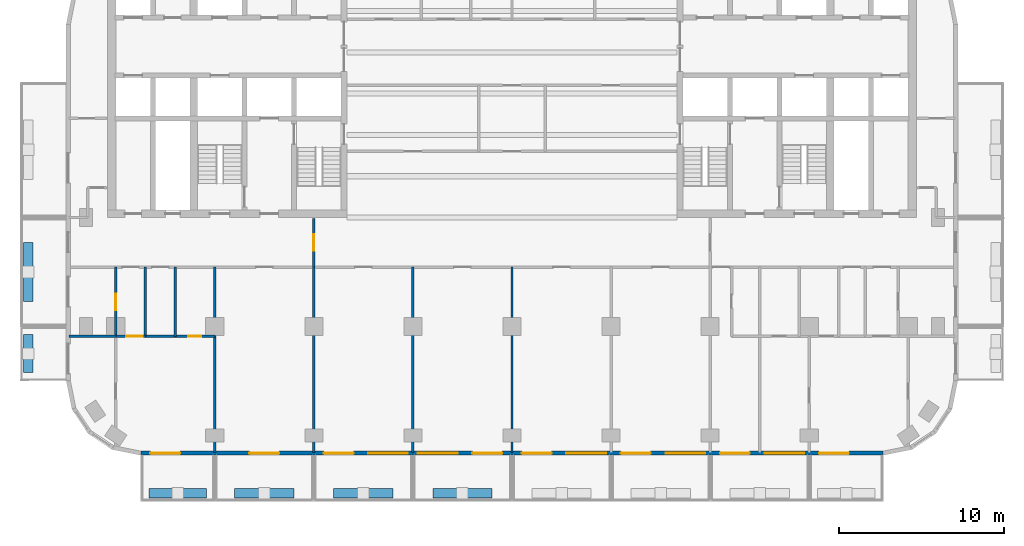
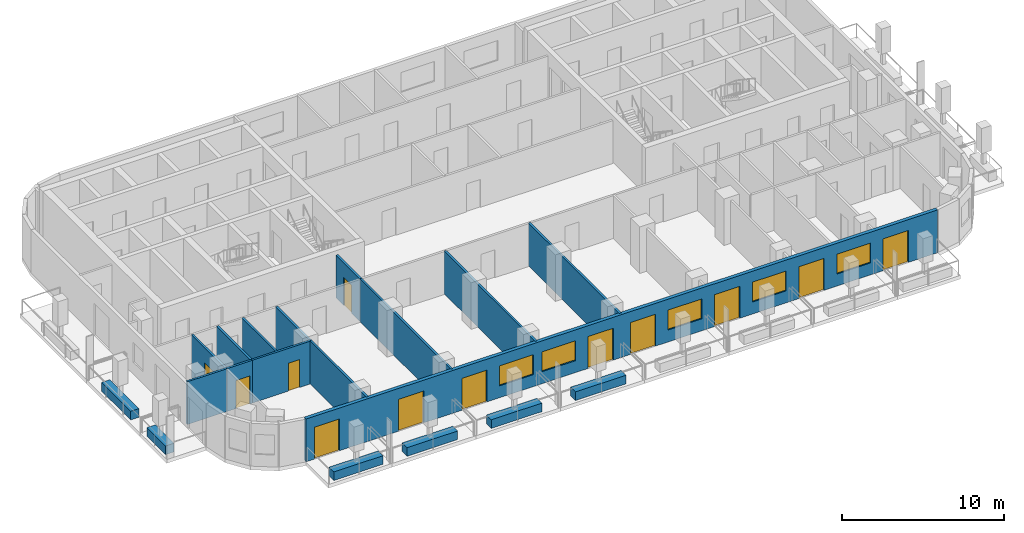
# One storey, part 2 of 11: 18 walls, 12 doors, 5 windows, 17 openings.
"""IFC4 building model written with IfcOpenShell, lengths in metres."""

from ifc_helpers import new_model, si_unit, direction, frame, frame_2d, origin, place, context, subcontext, project, spatial, rectangle, extrude, material, layer, layer_set, type_object, element, fill, save


model = new_model("IFC4")

# Units and contexts
model_context = context("Model", 3, precision=1e-05, world=origin(), true_north=direction((0.0, 1.0)))
body_context = subcontext(model_context, "Body", "Model", "MODEL_VIEW")
ifc_project = project(units=[si_unit("LENGTHUNIT", "METRE"), si_unit("AREAUNIT", "SQUARE_METRE"), si_unit("VOLUMEUNIT", "CUBIC_METRE"), si_unit("PLANEANGLEUNIT", "RADIAN"), si_unit("MASSUNIT", "GRAM", prefix="KILO")], contexts=[model_context])

# Site, building, storey
site_placement = place(None, origin())
site = spatial("IfcSite", under=ifc_project, at=site_placement, CompositionType="ELEMENT")
building_placement = place(site_placement, origin())
building = spatial("IfcBuilding", under=site, at=building_placement, Name="Torana Hotel and Residences", CompositionType="ELEMENT")
storey_placement = place(building_placement, frame((0.0, 0.0, 194.10009765625)))
storey = spatial("IfcBuildingStorey", under=building, at=storey_placement, Name="L50", CompositionType="ELEMENT", Elevation=194.10009765625)

# Wall, openings, doors, windows
ifc_material_1 = material(Name="Black aluminium composite panel", Category="aluminium")
ifc_layer_1 = layer(ifc_material_1, 0.00390625, Name="Cladding", Category="cladding")
ifc_material_2 = material(Name="Ventilated air cavity")
ifc_layer_2 = layer(ifc_material_2, 0.0400390625, Name="Ventilated cavity", Category="cavity")
ifc_material_3 = material(Name="Mineral wool insulation")
ifc_layer_3 = layer(ifc_material_3, 0.090087890625, Name="Insulation", Category="insulation")
ifc_material_4 = material(Name="Steel S280GD", Category="steel")
ifc_layer_4 = layer(ifc_material_4, 0.092041015625, Name="Steel stud frame", Category="structure")
ifc_material_5 = material(Name="Fire rated plasterboard")
ifc_layer_5 = layer(ifc_material_5, 0.011962890625, Name="Inner board", Category="finish")
ifc_layer_6 = layer(ifc_material_5, 0.011962890625, Name="Second board", Category="finish")
ifc_layer_set_1 = layer_set([ifc_layer_1, ifc_layer_2, ifc_layer_3, ifc_layer_4, ifc_layer_5, ifc_layer_6], Name="EW1 EXTERNAL WALL BLACK METAL CLAD 250")
wall_type_1 = type_object("IfcWallType", Name="EW1 EXTERNAL WALL BLACK METAL CLAD 250", PredefinedType="SOLIDWALL", material=ifc_layer_set_1)
wall_1_placement = place(storey_placement, frame((-22.475341796875, -29.27490234375, 0.0), z_axis=(0.0, 0.0, 1.0), x_axis=(1.0, 0.0, 0.0)))
wall_1 = element("IfcWall", 1, at=wall_1_placement, inside=storey, type_object=wall_type_1, Name="External wall L50 e0.14", PredefinedType="SOLIDWALL", context=body_context, shape_type="SweptSolid", body=[
    extrude(rectangle(XDim=44.95068359375, YDim=0.25, at=frame_2d((22.475341796875, 0.0))), origin(), (0.0, 0.0, 1.0), 3.219970703125),
])
opening_1_placement = place(wall_1_placement, frame((0.575439453125, 0.0, 0.0)))
opening_1 = element("IfcOpeningElement", 2, at=opening_1_placement, cuts=wall_1, Name="Opening L50-E01", PredefinedType="OPENING", context=body_context, shape_type="SweptSolid", body=[
    extrude(rectangle(XDim=1.800048828125, YDim=2.39990234375, at=frame_2d((0.89990234375, 1.199951171875))), frame((0.0, 0.135009765625, 0.0), z_axis=(0.0, -1.0, 0.0), x_axis=(1.0, 0.0, 0.0)), (0.0, 0.0, 1.0), 0.27001953125),
])
opening_2_placement = place(wall_1_placement, frame((6.575439453125, 0.0, 0.0)))
opening_2 = element("IfcOpeningElement", 3, at=opening_2_placement, cuts=wall_1, Name="Opening L50-E02", PredefinedType="OPENING", context=body_context, shape_type="SweptSolid", body=[
    extrude(rectangle(XDim=1.800048828125, YDim=2.39990234375, at=frame_2d((0.89990234375, 1.199951171875))), frame((0.0, 0.135009765625, 0.0), z_axis=(0.0, -1.0, 0.0), x_axis=(1.0, 0.0, 0.0)), (0.0, 0.0, 1.0), 0.27001953125),
])
opening_3_placement = place(wall_1_placement, frame((11.075439453125, 0.0, 0.0)))
opening_3 = element("IfcOpeningElement", 4, at=opening_3_placement, cuts=wall_1, Name="Opening L50-E03", PredefinedType="OPENING", context=body_context, shape_type="SweptSolid", body=[
    extrude(rectangle(XDim=1.800048828125, YDim=2.39990234375, at=frame_2d((0.89990234375, 1.199951171875))), frame((0.0, 0.135009765625, 0.0), z_axis=(0.0, -1.0, 0.0), x_axis=(1.0, 0.0, 0.0)), (0.0, 0.0, 1.0), 0.27001953125),
])
opening_4_placement = place(wall_1_placement, frame((13.775390625, 0.0, 0.89990234375)))
opening_4 = element("IfcOpeningElement", 5, at=opening_4_placement, cuts=wall_1, Name="Opening W3", PredefinedType="OPENING", context=body_context, shape_type="SweptSolid", body=[
    extrude(rectangle(XDim=2.39990234375, YDim=1.5, at=frame_2d((1.199951171875, 0.75))), frame((0.0, 0.135009765625, 0.0), z_axis=(0.0, -1.0, 0.0), x_axis=(1.0, 0.0, 0.0)), (0.0, 0.0, 1.0), 0.27001953125),
])
opening_5_placement = place(wall_1_placement, frame((16.775390625, 0.0, 0.89990234375)))
opening_5 = element("IfcOpeningElement", 6, at=opening_5_placement, cuts=wall_1, Name="Opening W3", PredefinedType="OPENING", context=body_context, shape_type="SweptSolid", body=[
    extrude(rectangle(XDim=2.39990234375, YDim=1.5, at=frame_2d((1.199951171875, 0.75))), frame((0.0, 0.135009765625, 0.0), z_axis=(0.0, -1.0, 0.0), x_axis=(1.0, 0.0, 0.0)), (0.0, 0.0, 1.0), 0.27001953125),
])
opening_6_placement = place(wall_1_placement, frame((20.075439453125, 0.0, 0.0)))
opening_6 = element("IfcOpeningElement", 7, at=opening_6_placement, cuts=wall_1, Name="Opening L50-E04", PredefinedType="OPENING", context=body_context, shape_type="SweptSolid", body=[
    extrude(rectangle(XDim=1.800048828125, YDim=2.39990234375, at=frame_2d((0.89990234375, 1.199951171875))), frame((0.0, 0.135009765625, 0.0), z_axis=(0.0, -1.0, 0.0), x_axis=(1.0, 0.0, 0.0)), (0.0, 0.0, 1.0), 0.27001953125),
])
opening_7_placement = place(wall_1_placement, frame((23.075439453125, 0.0, 0.0)))
opening_7 = element("IfcOpeningElement", 8, at=opening_7_placement, cuts=wall_1, Name="Opening L50-E05", PredefinedType="OPENING", context=body_context, shape_type="SweptSolid", body=[
    extrude(rectangle(XDim=1.800048828125, YDim=2.39990234375, at=frame_2d((0.89990234375, 1.199951171875))), frame((0.0, 0.135009765625, 0.0), z_axis=(0.0, -1.0, 0.0), x_axis=(1.0, 0.0, 0.0)), (0.0, 0.0, 1.0), 0.27001953125),
])
opening_8_placement = place(wall_1_placement, frame((25.775390625, 0.0, 0.89990234375)))
opening_8 = element("IfcOpeningElement", 9, at=opening_8_placement, cuts=wall_1, Name="Opening W3", PredefinedType="OPENING", context=body_context, shape_type="SweptSolid", body=[
    extrude(rectangle(XDim=2.39990234375, YDim=1.5, at=frame_2d((1.199951171875, 0.75))), frame((0.0, 0.135009765625, 0.0), z_axis=(0.0, -1.0, 0.0), x_axis=(1.0, 0.0, 0.0)), (0.0, 0.0, 1.0), 0.27001953125),
])
opening_9_placement = place(wall_1_placement, frame((29.075439453125, 0.0, 0.0)))
opening_9 = element("IfcOpeningElement", 10, at=opening_9_placement, cuts=wall_1, Name="Opening L50-E06", PredefinedType="OPENING", context=body_context, shape_type="SweptSolid", body=[
    extrude(rectangle(XDim=1.800048828125, YDim=2.39990234375, at=frame_2d((0.89990234375, 1.199951171875))), frame((0.0, 0.135009765625, 0.0), z_axis=(0.0, -1.0, 0.0), x_axis=(1.0, 0.0, 0.0)), (0.0, 0.0, 1.0), 0.27001953125),
])
opening_10_placement = place(wall_1_placement, frame((31.775390625, 0.0, 0.89990234375)))
opening_10 = element("IfcOpeningElement", 11, at=opening_10_placement, cuts=wall_1, Name="Opening W3", PredefinedType="OPENING", context=body_context, shape_type="SweptSolid", body=[
    extrude(rectangle(XDim=2.39990234375, YDim=1.5, at=frame_2d((1.199951171875, 0.75))), frame((0.0, 0.135009765625, 0.0), z_axis=(0.0, -1.0, 0.0), x_axis=(1.0, 0.0, 0.0)), (0.0, 0.0, 1.0), 0.27001953125),
])
opening_11_placement = place(wall_1_placement, frame((35.075439453125, 0.0, 0.0)))
opening_11 = element("IfcOpeningElement", 12, at=opening_11_placement, cuts=wall_1, Name="Opening L50-E07", PredefinedType="OPENING", context=body_context, shape_type="SweptSolid", body=[
    extrude(rectangle(XDim=1.800048828125, YDim=2.39990234375, at=frame_2d((0.89990234375, 1.199951171875))), frame((0.0, 0.135009765625, 0.0), z_axis=(0.0, -1.0, 0.0), x_axis=(1.0, 0.0, 0.0)), (0.0, 0.0, 1.0), 0.27001953125),
])
opening_12_placement = place(wall_1_placement, frame((37.775390625, 0.0, 0.89990234375)))
opening_12 = element("IfcOpeningElement", 13, at=opening_12_placement, cuts=wall_1, Name="Opening W3", PredefinedType="OPENING", context=body_context, shape_type="SweptSolid", body=[
    extrude(rectangle(XDim=2.39990234375, YDim=1.5, at=frame_2d((1.199951171875, 0.75))), frame((0.0, 0.135009765625, 0.0), z_axis=(0.0, -1.0, 0.0), x_axis=(1.0, 0.0, 0.0)), (0.0, 0.0, 1.0), 0.27001953125),
])
opening_13_placement = place(wall_1_placement, frame((41.075439453125, 0.0, 0.0)))
opening_13 = element("IfcOpeningElement", 14, at=opening_13_placement, cuts=wall_1, Name="Opening L50-E08", PredefinedType="OPENING", context=body_context, shape_type="SweptSolid", body=[
    extrude(rectangle(XDim=1.800048828125, YDim=2.39990234375, at=frame_2d((0.89990234375, 1.199951171875))), frame((0.0, 0.135009765625, 0.0), z_axis=(0.0, -1.0, 0.0), x_axis=(1.0, 0.0, 0.0)), (0.0, 0.0, 1.0), 0.27001953125),
])
ifc_material_6 = material(Name="Dark glass in black aluminium frame", Category="aluminium")
door_type_1 = type_object("IfcDoorType", Name="DB1 BALCONY DOOR 1800x2400", OperationType="DOUBLE_DOOR_SINGLE_SWING", PredefinedType="DOOR", material=ifc_material_6)
door_1_placement = place(opening_1_placement, origin())
door_1 = element("IfcDoor", 15, at=door_1_placement, inside=storey, type_object=door_type_1, Name="Balcony door L50", OperationType="DOUBLE_DOOR_SINGLE_SWING", OverallHeight=2.39990234375, OverallWidth=1.800048828125, PredefinedType="DOOR", context=body_context, shape_type="SweptSolid", body=[
    extrude(rectangle(XDim=1.800048828125, YDim=2.39990234375, at=frame_2d((0.89990234375, 1.199951171875))), frame((0.0, 0.02490234375, 0.0), z_axis=(0.0, -1.0, 0.0), x_axis=(1.0, 0.0, 0.0)), (0.0, 0.0, 1.0), 0.050048828125),
])
fill(opening_1, door_1)
door_2_placement = place(opening_2_placement, origin())
door_2 = element("IfcDoor", 16, at=door_2_placement, inside=storey, type_object=door_type_1, Name="Balcony door L50", OperationType="DOUBLE_DOOR_SINGLE_SWING", OverallHeight=2.39990234375, OverallWidth=1.800048828125, PredefinedType="DOOR", context=body_context, shape_type="SweptSolid", body=[
    extrude(rectangle(XDim=1.800048828125, YDim=2.39990234375, at=frame_2d((0.89990234375, 1.199951171875))), frame((0.0, 0.02490234375, 0.0), z_axis=(0.0, -1.0, 0.0), x_axis=(1.0, 0.0, 0.0)), (0.0, 0.0, 1.0), 0.050048828125),
])
fill(opening_2, door_2)
door_3_placement = place(opening_3_placement, origin())
door_3 = element("IfcDoor", 17, at=door_3_placement, inside=storey, type_object=door_type_1, Name="Balcony door L50", OperationType="DOUBLE_DOOR_SINGLE_SWING", OverallHeight=2.39990234375, OverallWidth=1.800048828125, PredefinedType="DOOR", context=body_context, shape_type="SweptSolid", body=[
    extrude(rectangle(XDim=1.800048828125, YDim=2.39990234375, at=frame_2d((0.89990234375, 1.199951171875))), frame((0.0, 0.02490234375, 0.0), z_axis=(0.0, -1.0, 0.0), x_axis=(1.0, 0.0, 0.0)), (0.0, 0.0, 1.0), 0.050048828125),
])
fill(opening_3, door_3)
door_4_placement = place(opening_6_placement, origin())
door_4 = element("IfcDoor", 18, at=door_4_placement, inside=storey, type_object=door_type_1, Name="Balcony door L50", OperationType="DOUBLE_DOOR_SINGLE_SWING", OverallHeight=2.39990234375, OverallWidth=1.800048828125, PredefinedType="DOOR", context=body_context, shape_type="SweptSolid", body=[
    extrude(rectangle(XDim=1.800048828125, YDim=2.39990234375, at=frame_2d((0.89990234375, 1.199951171875))), frame((0.0, 0.02490234375, 0.0), z_axis=(0.0, -1.0, 0.0), x_axis=(1.0, 0.0, 0.0)), (0.0, 0.0, 1.0), 0.050048828125),
])
fill(opening_6, door_4)
door_5_placement = place(opening_7_placement, origin())
door_5 = element("IfcDoor", 19, at=door_5_placement, inside=storey, type_object=door_type_1, Name="Balcony door L50", OperationType="DOUBLE_DOOR_SINGLE_SWING", OverallHeight=2.39990234375, OverallWidth=1.800048828125, PredefinedType="DOOR", context=body_context, shape_type="SweptSolid", body=[
    extrude(rectangle(XDim=1.800048828125, YDim=2.39990234375, at=frame_2d((0.89990234375, 1.199951171875))), frame((0.0, 0.02490234375, 0.0), z_axis=(0.0, -1.0, 0.0), x_axis=(1.0, 0.0, 0.0)), (0.0, 0.0, 1.0), 0.050048828125),
])
fill(opening_7, door_5)
door_6_placement = place(opening_9_placement, origin())
door_6 = element("IfcDoor", 20, at=door_6_placement, inside=storey, type_object=door_type_1, Name="Balcony door L50", OperationType="DOUBLE_DOOR_SINGLE_SWING", OverallHeight=2.39990234375, OverallWidth=1.800048828125, PredefinedType="DOOR", context=body_context, shape_type="SweptSolid", body=[
    extrude(rectangle(XDim=1.800048828125, YDim=2.39990234375, at=frame_2d((0.89990234375, 1.199951171875))), frame((0.0, 0.02490234375, 0.0), z_axis=(0.0, -1.0, 0.0), x_axis=(1.0, 0.0, 0.0)), (0.0, 0.0, 1.0), 0.050048828125),
])
fill(opening_9, door_6)
door_7_placement = place(opening_11_placement, origin())
door_7 = element("IfcDoor", 21, at=door_7_placement, inside=storey, type_object=door_type_1, Name="Balcony door L50", OperationType="DOUBLE_DOOR_SINGLE_SWING", OverallHeight=2.39990234375, OverallWidth=1.800048828125, PredefinedType="DOOR", context=body_context, shape_type="SweptSolid", body=[
    extrude(rectangle(XDim=1.800048828125, YDim=2.39990234375, at=frame_2d((0.89990234375, 1.199951171875))), frame((0.0, 0.02490234375, 0.0), z_axis=(0.0, -1.0, 0.0), x_axis=(1.0, 0.0, 0.0)), (0.0, 0.0, 1.0), 0.050048828125),
])
fill(opening_11, door_7)
door_8_placement = place(opening_13_placement, origin())
door_8 = element("IfcDoor", 22, at=door_8_placement, inside=storey, type_object=door_type_1, Name="Balcony door L50", OperationType="DOUBLE_DOOR_SINGLE_SWING", OverallHeight=2.39990234375, OverallWidth=1.800048828125, PredefinedType="DOOR", context=body_context, shape_type="SweptSolid", body=[
    extrude(rectangle(XDim=1.800048828125, YDim=2.39990234375, at=frame_2d((0.89990234375, 1.199951171875))), frame((0.0, 0.02490234375, 0.0), z_axis=(0.0, -1.0, 0.0), x_axis=(1.0, 0.0, 0.0)), (0.0, 0.0, 1.0), 0.050048828125),
])
fill(opening_13, door_8)
ifc_material_7 = material(Name="Dark glass in black aluminium frame", Category="aluminium")
window_type = type_object("IfcWindowType", Name="W3 RESIDENCE WINDOW 2400x1500", PartitioningType="SINGLE_PANEL", PredefinedType="WINDOW", material=ifc_material_7)
window_1_placement = place(opening_4_placement, origin())
window_1 = element("IfcWindow", 23, at=window_1_placement, inside=storey, type_object=window_type, Name="Window L50", OverallHeight=1.5, OverallWidth=2.39990234375, PartitioningType="SINGLE_PANEL", PredefinedType="WINDOW", context=body_context, shape_type="SweptSolid", body=[
    extrude(rectangle(XDim=2.39990234375, YDim=1.5, at=frame_2d((1.199951171875, 0.75))), frame((0.0, 0.030029296875, 0.0), z_axis=(0.0, -1.0, 0.0), x_axis=(1.0, 0.0, 0.0)), (0.0, 0.0, 1.0), 0.06005859375),
])
fill(opening_4, window_1)
window_2_placement = place(opening_5_placement, origin())
window_2 = element("IfcWindow", 24, at=window_2_placement, inside=storey, type_object=window_type, Name="Window L50", OverallHeight=1.5, OverallWidth=2.39990234375, PartitioningType="SINGLE_PANEL", PredefinedType="WINDOW", context=body_context, shape_type="SweptSolid", body=[
    extrude(rectangle(XDim=2.39990234375, YDim=1.5, at=frame_2d((1.199951171875, 0.75))), frame((0.0, 0.030029296875, 0.0), z_axis=(0.0, -1.0, 0.0), x_axis=(1.0, 0.0, 0.0)), (0.0, 0.0, 1.0), 0.06005859375),
])
fill(opening_5, window_2)
window_3_placement = place(opening_8_placement, origin())
window_3 = element("IfcWindow", 25, at=window_3_placement, inside=storey, type_object=window_type, Name="Window L50", OverallHeight=1.5, OverallWidth=2.39990234375, PartitioningType="SINGLE_PANEL", PredefinedType="WINDOW", context=body_context, shape_type="SweptSolid", body=[
    extrude(rectangle(XDim=2.39990234375, YDim=1.5, at=frame_2d((1.199951171875, 0.75))), frame((0.0, 0.030029296875, 0.0), z_axis=(0.0, -1.0, 0.0), x_axis=(1.0, 0.0, 0.0)), (0.0, 0.0, 1.0), 0.06005859375),
])
fill(opening_8, window_3)
window_4_placement = place(opening_10_placement, origin())
window_4 = element("IfcWindow", 26, at=window_4_placement, inside=storey, type_object=window_type, Name="Window L50", OverallHeight=1.5, OverallWidth=2.39990234375, PartitioningType="SINGLE_PANEL", PredefinedType="WINDOW", context=body_context, shape_type="SweptSolid", body=[
    extrude(rectangle(XDim=2.39990234375, YDim=1.5, at=frame_2d((1.199951171875, 0.75))), frame((0.0, 0.030029296875, 0.0), z_axis=(0.0, -1.0, 0.0), x_axis=(1.0, 0.0, 0.0)), (0.0, 0.0, 1.0), 0.06005859375),
])
fill(opening_10, window_4)
window_5_placement = place(opening_12_placement, origin())
window_5 = element("IfcWindow", 27, at=window_5_placement, inside=storey, type_object=window_type, Name="Window L50", OverallHeight=1.5, OverallWidth=2.39990234375, PartitioningType="SINGLE_PANEL", PredefinedType="WINDOW", context=body_context, shape_type="SweptSolid", body=[
    extrude(rectangle(XDim=2.39990234375, YDim=1.5, at=frame_2d((1.199951171875, 0.75))), frame((0.0, 0.030029296875, 0.0), z_axis=(0.0, -1.0, 0.0), x_axis=(1.0, 0.0, 0.0)), (0.0, 0.0, 1.0), 0.06005859375),
])
fill(opening_12, window_5)

# Wall, opening, door
ifc_material_8 = material(Name="Gypsum plaster")
ifc_layer_7 = layer(ifc_material_8, 0.014892578125, Name="Plaster", Category="finish")
ifc_material_9 = material(Name="Concrete blockwork", Category="masonry")
ifc_layer_8 = layer(ifc_material_9, 0.1201171875, Name="Blockwork", Category="structure")
ifc_layer_9 = layer(ifc_material_8, 0.014892578125, Name="Plaster", Category="finish")
ifc_layer_set_2 = layer_set([ifc_layer_7, ifc_layer_8, ifc_layer_9], Name="FIRE PARTITION 150 BLOCKWORK")
wall_type_2 = type_object("IfcWallType", Name="FIRE PARTITION 150 BLOCKWORK", PredefinedType="PARTITIONING", material=ifc_layer_set_2)
wall_2_placement = place(storey_placement, frame((-12.0, -18.0, 0.0), z_axis=(0.0, 0.0, 1.0), x_axis=(0.0, 1.0, 0.0)))
wall_2 = element("IfcWall", 28, at=wall_2_placement, inside=storey, type_object=wall_type_2, Name="Partition L50", PredefinedType="PARTITIONING", context=body_context, shape_type="SweptSolid", body=[
    extrude(rectangle(XDim=2.949951171875, YDim=0.14990234375, at=frame_2d((1.47509765625, 0.0))), origin(), (0.0, 0.0, 1.0), 3.219970703125),
])
opening_14_placement = place(wall_2_placement, frame((1.0, 0.0, 0.0)))
opening_14 = element("IfcOpeningElement", 29, at=opening_14_placement, cuts=wall_2, Name="Opening L50-27", PredefinedType="OPENING", context=body_context, shape_type="SweptSolid", body=[
    extrude(rectangle(XDim=1.0, YDim=2.10009765625, at=frame_2d((0.5, 1.050048828125))), frame((0.0, 0.0849609375, 0.0), z_axis=(0.0, -1.0, 0.0), x_axis=(1.0, 0.0, 0.0)), (0.0, 0.0, 1.0), 0.169921875),
])
ifc_material_10 = material(Name="Steel S235", Category="steel")
door_type_2 = type_object("IfcDoorType", Name="ENTRY FIRE DOOR D6 1000x2100", OperationType="SINGLE_SWING_LEFT", PredefinedType="DOOR", material=ifc_material_10)
door_9_placement = place(opening_14_placement, origin())
door_9 = element("IfcDoor", 30, at=door_9_placement, inside=storey, type_object=door_type_2, Name="Door L50", OperationType="SINGLE_SWING_RIGHT", OverallHeight=2.10009765625, OverallWidth=1.0, PredefinedType="DOOR", context=body_context, shape_type="SweptSolid", body=[
    extrude(rectangle(XDim=1.0, YDim=2.10009765625, at=frame_2d((0.5, 1.050048828125))), frame((0.0, 0.02490234375, 0.0), z_axis=(0.0, -1.0, 0.0), x_axis=(1.0, 0.0, 0.0)), (0.0, 0.0, 1.0), 0.050048828125),
])
fill(opening_14, door_9)

# Wall
wall_3_placement = place(storey_placement, frame((-22.199951171875, -22.199951171875, 0.0), z_axis=(0.0, 0.0, 1.0), x_axis=(0.0, 1.0, 0.0)))
element("IfcWall", 31, at=wall_3_placement, inside=storey, type_object=wall_type_2, Name="Partition L50", PredefinedType="PARTITIONING", context=body_context, shape_type="SweptSolid", body=[
    extrude(rectangle(XDim=4.199951171875, YDim=0.14990234375, at=frame_2d((2.10009765625, 0.0))), origin(), (0.0, 0.0, 1.0), 3.219970703125),
])

# Wall, opening, door
wall_4_placement = place(storey_placement, frame((-24.0, -22.199951171875, 0.0), z_axis=(0.0, 0.0, 1.0), x_axis=(0.0, 1.0, 0.0)))
wall_4 = element("IfcWall", 32, at=wall_4_placement, inside=storey, type_object=wall_type_2, Name="Partition L50", PredefinedType="PARTITIONING", context=body_context, shape_type="SweptSolid", body=[
    extrude(rectangle(XDim=4.199951171875, YDim=0.14990234375, at=frame_2d((2.10009765625, 0.0))), origin(), (0.0, 0.0, 1.0), 3.219970703125),
])
opening_15_placement = place(wall_4_placement, frame((1.580078125, 0.0, 0.0)))
opening_15 = element("IfcOpeningElement", 33, at=opening_15_placement, cuts=wall_4, Name="Opening L50-52", PredefinedType="OPENING", context=body_context, shape_type="SweptSolid", body=[
    extrude(rectangle(XDim=1.0, YDim=2.10009765625, at=frame_2d((0.5, 1.050048828125))), frame((0.0, 0.0849609375, 0.0), z_axis=(0.0, -1.0, 0.0), x_axis=(1.0, 0.0, 0.0)), (0.0, 0.0, 1.0), 0.169921875),
])
door_10_placement = place(opening_15_placement, origin())
door_10 = element("IfcDoor", 34, at=door_10_placement, inside=storey, type_object=door_type_2, Name="Door L50", OperationType="SINGLE_SWING_RIGHT", OverallHeight=2.10009765625, OverallWidth=1.0, PredefinedType="DOOR", context=body_context, shape_type="SweptSolid", body=[
    extrude(rectangle(XDim=1.0, YDim=2.10009765625, at=frame_2d((0.5, 1.050048828125))), frame((0.0, 0.02490234375, 0.0), z_axis=(0.0, -1.0, 0.0), x_axis=(1.0, 0.0, 0.0)), (0.0, 0.0, 1.0), 0.050048828125),
])
fill(opening_15, door_10)

wall_5_placement = place(storey_placement, frame((-24.0, -22.199951171875, 0.0), z_axis=(0.0, 0.0, 1.0), x_axis=(1.0, 0.0, 0.0)))
wall_5 = element("IfcWall", 35, at=wall_5_placement, inside=storey, type_object=wall_type_2, Name="Partition L50", PredefinedType="PARTITIONING", context=body_context, shape_type="SweptSolid", body=[
    extrude(rectangle(XDim=1.800048828125, YDim=0.14990234375, at=frame_2d((0.89990234375, 0.0))), origin(), (0.0, 0.0, 1.0), 3.219970703125),
])
opening_16_placement = place(wall_5_placement, frame((0.64990234375, 0.0, 0.0)))
opening_16 = element("IfcOpeningElement", 36, at=opening_16_placement, cuts=wall_5, Name="Opening L50-53", PredefinedType="OPENING", context=body_context, shape_type="SweptSolid", body=[
    extrude(rectangle(XDim=1.0, YDim=2.10009765625, at=frame_2d((0.5, 1.050048828125))), frame((0.0, 0.0849609375, 0.0), z_axis=(0.0, -1.0, 0.0), x_axis=(1.0, 0.0, 0.0)), (0.0, 0.0, 1.0), 0.169921875),
])
door_11_placement = place(opening_16_placement, frame((0.5, 0.0, 0.0), z_axis=(0.0, 0.0, 1.0), x_axis=(-1.0, 0.0, 0.0)))
door_11 = element("IfcDoor", 37, at=door_11_placement, inside=storey, type_object=door_type_2, Name="Door L50", OperationType="SINGLE_SWING_LEFT", OverallHeight=2.10009765625, OverallWidth=1.0, PredefinedType="DOOR", context=body_context, shape_type="SweptSolid", body=[
    extrude(rectangle(XDim=1.0, YDim=2.10009765625, at=frame_2d((0.0, 1.050048828125))), frame((0.0, -0.02490234375, 0.0), z_axis=(0.0, 1.0, 0.0), x_axis=(-1.0, 0.0, 0.0)), (0.0, 0.0, 1.0), 0.050048828125),
])
fill(opening_16, door_11)

# Walls
ifc_material_11 = material(Name="Gypsum plasterboard")
ifc_layer_10 = layer(ifc_material_11, 0.012451171875, Name="Plasterboard", Category="finish")
ifc_layer_11 = layer(ifc_material_11, 0.012451171875, Name="Plasterboard", Category="finish")
ifc_layer_12 = layer(ifc_material_4, 0.10009765625, Name="Steel studs with mineral wool", Category="insulation")
ifc_layer_13 = layer(ifc_material_11, 0.012451171875, Name="Plasterboard", Category="finish")
ifc_layer_14 = layer(ifc_material_11, 0.012451171875, Name="Plasterboard", Category="finish")
ifc_layer_set_3 = layer_set([ifc_layer_10, ifc_layer_11, ifc_layer_12, ifc_layer_13, ifc_layer_14], Name="PARTITION 150 PLASTERBOARD")
wall_type_3 = type_object("IfcWallType", Name="PARTITION 150 PLASTERBOARD", PredefinedType="PARTITIONING", material=ifc_layer_set_3)
for number, where, z_axis, x_axis, name in (
    (38, (0.0, -29.219970703125, 0.0), (0.0, 0.0, 1.0), (0.0, 1.0, 0.0), "Partition L50"),
    (39, (-6.0, -29.219970703125, 0.0), (0.0, 0.0, 1.0), (0.0, 1.0, 0.0), "Partition L50"),
    (40, (-12.0, -29.219970703125, 0.0), (0.0, 0.0, 1.0), (0.0, 1.0, 0.0), "Partition L50"),
    (41, (-18.0, -29.219970703125, 0.0), (0.0, 0.0, 1.0), (0.0, 1.0, 0.0), "Partition L50"),
):
    element("IfcWall", number, at=place(storey_placement, frame(where, z_axis=z_axis, x_axis=x_axis)), inside=storey, type_object=wall_type_3, Name=name, PredefinedType="PARTITIONING", context=body_context, shape_type="SweptSolid", body=[
        extrude(rectangle(XDim=11.219970703125, YDim=0.14990234375, at=frame_2d((5.60986328125, 0.0))), origin(), (0.0, 0.0, 1.0), 3.219970703125),
    ])
wall_6_placement = place(storey_placement, frame((-20.39990234375, -22.199951171875, 0.0), z_axis=(0.0, 0.0, 1.0), x_axis=(0.0, 1.0, 0.0)))
element("IfcWall", 42, at=wall_6_placement, inside=storey, type_object=wall_type_3, Name="Partition L50", PredefinedType="PARTITIONING", context=body_context, shape_type="SweptSolid", body=[
    extrude(rectangle(XDim=4.199951171875, YDim=0.14990234375, at=frame_2d((2.10009765625, 0.0))), origin(), (0.0, 0.0, 1.0), 3.219970703125),
])
wall_7_placement = place(storey_placement, frame((-26.820068359375, -22.199951171875, 0.0), z_axis=(0.0, 0.0, 1.0), x_axis=(1.0, 0.0, 0.0)))
element("IfcWall", 43, at=wall_7_placement, inside=storey, type_object=wall_type_3, Name="Partition L50", PredefinedType="PARTITIONING", context=body_context, shape_type="SweptSolid", body=[
    extrude(rectangle(XDim=2.820068359375, YDim=0.14990234375, at=frame_2d((1.41015625, 0.0))), origin(), (0.0, 0.0, 1.0), 3.219970703125),
])

# Wall, opening, door
wall_8_placement = place(storey_placement, frame((-22.199951171875, -22.199951171875, 0.0), z_axis=(0.0, 0.0, 1.0), x_axis=(1.0, 0.0, 0.0)))
wall_8 = element("IfcWall", 44, at=wall_8_placement, inside=storey, type_object=wall_type_3, Name="Partition L50", PredefinedType="PARTITIONING", context=body_context, shape_type="SweptSolid", body=[
    extrude(rectangle(XDim=4.199951171875, YDim=0.14990234375, at=frame_2d((2.10009765625, 0.0))), origin(), (0.0, 0.0, 1.0), 3.219970703125),
])
opening_17_placement = place(wall_8_placement, frame((2.580078125, 0.0, 0.0)))
opening_17 = element("IfcOpeningElement", 45, at=opening_17_placement, cuts=wall_8, Name="Opening L50-51", PredefinedType="OPENING", context=body_context, shape_type="SweptSolid", body=[
    extrude(rectangle(XDim=0.800048828125, YDim=2.10009765625, at=frame_2d((0.39990234375, 1.050048828125))), frame((0.0, 0.0849609375, 0.0), z_axis=(0.0, -1.0, 0.0), x_axis=(1.0, 0.0, 0.0)), (0.0, 0.0, 1.0), 0.169921875),
])
ifc_material_12 = material(Name="Timber door, painted", Category="wood")
door_type_3 = type_object("IfcDoorType", Name="BATH DOOR D13 800x2100", OperationType="SINGLE_SWING_LEFT", PredefinedType="DOOR", material=ifc_material_12)
door_12_placement = place(opening_17_placement, origin())
door_12 = element("IfcDoor", 46, at=door_12_placement, inside=storey, type_object=door_type_3, Name="Door L50", OperationType="SINGLE_SWING_LEFT", OverallHeight=2.10009765625, OverallWidth=0.800048828125, PredefinedType="DOOR", context=body_context, shape_type="SweptSolid", body=[
    extrude(rectangle(XDim=0.800048828125, YDim=2.10009765625, at=frame_2d((0.39990234375, 1.050048828125))), frame((0.0, 0.02490234375, 0.0), z_axis=(0.0, -1.0, 0.0), x_axis=(1.0, 0.0, 0.0)), (0.0, 0.0, 1.0), 0.050048828125),
])
fill(opening_17, door_12)

# Walls
ifc_material_13 = material(Name="Concrete C40/50 precast", Category="concrete")
ifc_layer_15 = layer(ifc_material_13, 0.10009765625, Name="Planter shell", Category="structure")
ifc_material_14 = material(Name="Root resistant membrane")
ifc_layer_16 = layer(ifc_material_14, 0.00390625, Name="Waterproofing membrane", Category="membrane")
ifc_material_15 = material(Name="Drainage board with filter fleece")
ifc_layer_17 = layer(ifc_material_15, 0.02001953125, Name="Drainage board", Category="drainage")
ifc_material_16 = material(Name="Growing medium")
ifc_layer_18 = layer(ifc_material_16, 0.47607421875, Name="Planting substrate", Category="soil")
ifc_layer_set_4 = layer_set([ifc_layer_15, ifc_layer_16, ifc_layer_17, ifc_layer_18], Name="PL1 BALCONY PLANTER 600")
wall_type_4 = type_object("IfcWallType", Name="PL1 BALCONY PLANTER 600", PredefinedType="USERDEFINED", material=ifc_layer_set_4)
wall_9_placement = place(storey_placement, frame((-18.5, -31.699951171875, 0.0), z_axis=(0.0, 0.0, 1.0), x_axis=(-1.0, 0.0, 0.0)))
element("IfcWall", 47, at=wall_9_placement, inside=storey, type_object=wall_type_4, Name="Planter 01", ObjectType="PLANTER", PredefinedType="USERDEFINED", context=body_context, shape_type="SweptSolid", body=[
    extrude(rectangle(XDim=3.5, YDim=0.60009765625, at=frame_2d((1.75, 0.0))), origin(), (0.0, 0.0, 1.0), 0.64990234375),
])
for number, where, z_axis, x_axis, name in (
    (48, (-13.199951171875, -31.699951171875, 0.0), (0.0, 0.0, 1.0), (-1.0, 0.0, 0.0), "Planter 02"),
    (49, (-7.199951171875, -31.699951171875, 0.0), (0.0, 0.0, 1.0), (-1.0, 0.0, 0.0), "Planter 03"),
    (50, (-1.199951171875, -31.699951171875, 0.0), (0.0, 0.0, 1.0), (-1.0, 0.0, 0.0), "Planter 04"),
):
    element("IfcWall", number, at=place(storey_placement, frame(where, z_axis=z_axis, x_axis=x_axis)), inside=storey, type_object=wall_type_4, Name=name, ObjectType="PLANTER", PredefinedType="USERDEFINED", context=body_context, shape_type="SweptSolid", body=[
        extrude(rectangle(XDim=3.60009765625, YDim=0.60009765625, at=frame_2d((1.800048828125, 0.0))), origin(), (0.0, 0.0, 1.0), 0.64990234375),
    ])
wall_10_placement = place(storey_placement, frame((-29.300048828125, -24.39990234375, 0.0), z_axis=(0.0, 0.0, 1.0), x_axis=(0.0, 1.0, 0.0)))
element("IfcWall", 51, at=wall_10_placement, inside=storey, type_object=wall_type_4, Name="Planter 09", ObjectType="PLANTER", PredefinedType="USERDEFINED", context=body_context, shape_type="SweptSolid", body=[
    extrude(rectangle(XDim=2.2998046875, YDim=0.60009765625, at=frame_2d((1.14990234375, 0.0))), origin(), (0.0, 0.0, 1.0), 0.64990234375),
])
wall_11_placement = place(storey_placement, frame((-29.300048828125, -20.10009765625, 0.0), z_axis=(0.0, 0.0, 1.0), x_axis=(0.0, 1.0, 0.0)))
element("IfcWall", 52, at=wall_11_placement, inside=storey, type_object=wall_type_4, Name="Planter 10", ObjectType="PLANTER", PredefinedType="USERDEFINED", context=body_context, shape_type="SweptSolid", body=[
    extrude(rectangle(XDim=3.60009765625, YDim=0.60009765625, at=frame_2d((1.800048828125, 0.0))), origin(), (0.0, 0.0, 1.0), 0.64990234375),
])

save(model, "model.ifc")
